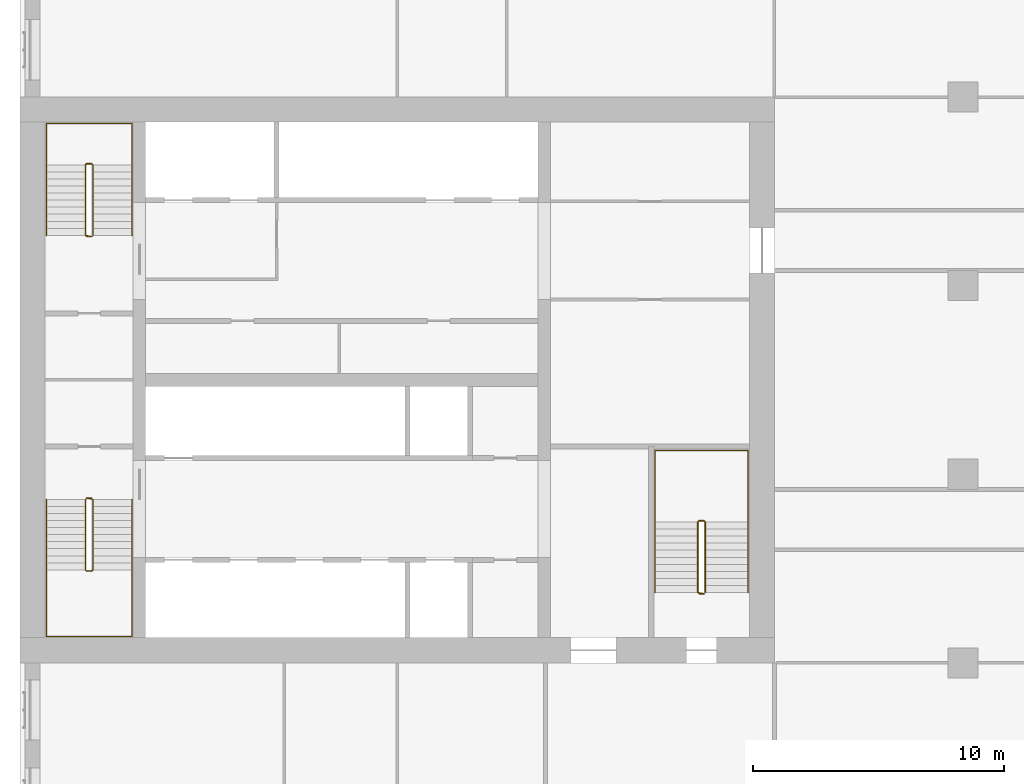
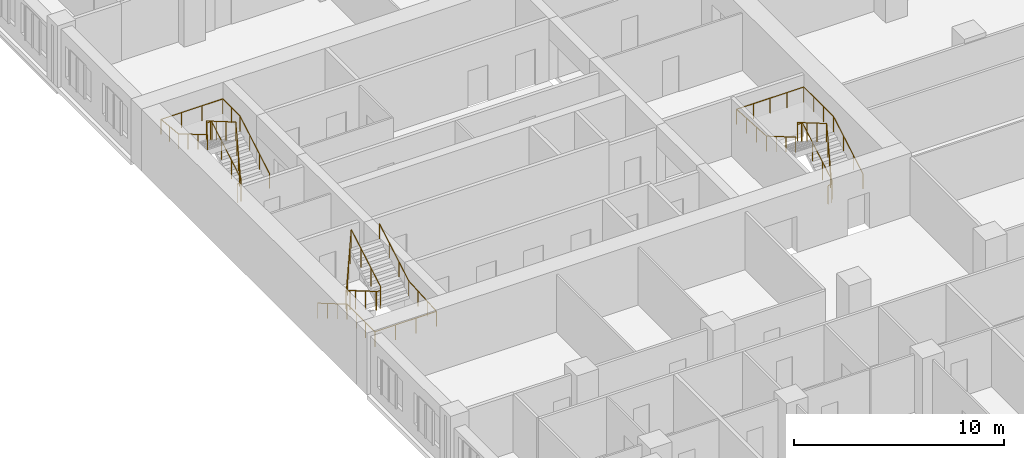
# One storey, part 14 of 14: 6 railings.
"""IFC4 building model written with IfcOpenShell, lengths in metres."""

import ifcopenshell
import ifcopenshell.guid

model = None  # the IFC model being written
_history = None  # IfcOwnerHistory: only IFC2X3 demands one
_inside = {}  # id of a spatial element -> (the spatial element, [elements in it])
_under = {}  # id of a project, library or spatial element -> (it, [spatial elements below it])
_declared = {}  # id of a project -> (the project, [libraries it declares])
_typed = {}  # id of a type object -> (the type object, [elements of that type])
_made_of = {}  # id of a material, layer set ... -> (it, [elements and type objects made of it])


def new_model(schema):
    """Start an empty IFC model of exactly this schema.

    Asked for "IFC4X3", IfcOpenShell would pick the latest addendum, in which some entities
    have other attributes; the version numbers below select the first issue.
    IFC2X3 requires an IfcOwnerHistory on every rooted entity: one is made here for all.
    """
    global model, _history
    if schema == "IFC4X3":
        model = ifcopenshell.file(schema_version=(4, 3, 0, 0))
    else:
        model = ifcopenshell.file(schema=schema)
    _inside.clear()
    _under.clear()
    _declared.clear()
    _typed.clear()
    _made_of.clear()
    _history = None
    if model.schema == "IFC2X3":
        org = make("IfcOrganization", Name="unknown")
        user = make(
            "IfcPersonAndOrganization",
            ThePerson=make("IfcPerson", FamilyName="unknown"),
            TheOrganization=org,
        )
        app = make(
            "IfcApplication",
            ApplicationDeveloper=org,
            Version="unknown",
            ApplicationFullName="unknown",
            ApplicationIdentifier="unknown",
        )
        _history = make(
            "IfcOwnerHistory",
            OwningUser=user,
            OwningApplication=app,
            ChangeAction="ADDED",
            CreationDate=0,
        )
    return model


def make(cls, **values):
    """One entity of the class cls with the attributes given. An attribute that is None is left unset."""
    return model.create_entity(
        cls, **{name: value for name, value in values.items() if value is not None}
    )


def rooted(cls, **values):
    """An entity with a GlobalId (a new one), such as an element, a storey or a relation."""
    return make(cls, GlobalId=ifcopenshell.guid.new(), OwnerHistory=_history, **values)


def si_unit(unit_type, name, prefix=None):
    """IfcSIUnit, for example si_unit("LENGTHUNIT", "METRE", prefix="MILLI")."""
    return make("IfcSIUnit", UnitType=unit_type, Prefix=prefix, Name=name)


def assignment(units):
    """IfcUnitAssignment: the units of a project."""
    return None if units is None else make("IfcUnitAssignment", Units=units)


def point(xyz):
    """IfcCartesianPoint."""
    return None if xyz is None else make("IfcCartesianPoint", Coordinates=xyz)


def direction(xyz):
    """IfcDirection."""
    return None if xyz is None else make("IfcDirection", DirectionRatios=xyz)


def frame(location, z_axis=None, x_axis=None):
    """IfcAxis2Placement3D, a coordinate frame: its origin and axes. An axis left out is left unset."""
    return make(
        "IfcAxis2Placement3D",
        Location=point(location),
        Axis=direction(z_axis),
        RefDirection=direction(x_axis),
    )


def frame_2d(location, x_axis=None):
    """IfcAxis2Placement2D, a coordinate frame in the plane: its origin and x axis."""
    return make(
        "IfcAxis2Placement2D", Location=point(location), RefDirection=direction(x_axis)
    )


def origin():
    """The frame at (0, 0, 0) with its axes left unset."""
    return frame((0.0, 0.0, 0.0))


def origin_2d():
    """The frame at (0, 0) in the plane with its x axis left unset."""
    return frame_2d((0.0, 0.0))


def place(relative_to, where):
    """IfcLocalPlacement: puts the frame where relative to a parent placement (None: the world)."""
    return make(
        "IfcLocalPlacement", PlacementRelTo=relative_to, RelativePlacement=where
    )


def context(
    kind, dimensions, precision=None, world=None, true_north=None, identifier=None
):
    """IfcGeometricRepresentationContext, for example the 3D "Model" context."""
    return make(
        "IfcGeometricRepresentationContext",
        ContextIdentifier=identifier,
        ContextType=kind,
        CoordinateSpaceDimension=dimensions,
        Precision=precision,
        WorldCoordinateSystem=world,
        TrueNorth=true_north,
    )


def subcontext(parent, identifier, kind, view, scale=None):
    """IfcGeometricRepresentationSubContext, for example "Body" below "Model"."""
    return make(
        "IfcGeometricRepresentationSubContext",
        ContextIdentifier=identifier,
        ContextType=kind,
        ParentContext=parent,
        TargetScale=scale,
        TargetView=view,
    )


def project(units=None, contexts=None):
    """IfcProject with its units and contexts."""
    return rooted(
        "IfcProject",
        Name="project",
        RepresentationContexts=contexts,
        UnitsInContext=assignment(units),
    )


def spatial(cls, under=None, at=None, **own):
    """A site, building, storey or space (cls), placed at a placement, below another one or the project."""
    s = rooted(cls, ObjectPlacement=at, **own)
    if under is not None:
        _under.setdefault(under.id(), (under, []))[1].append(s)
    return s


def profile(cls, at=None, kind="AREA", **sizes):
    """A parametric profile (cls). Its sizes go by their IFC names, for example OverallWidth=200.0."""
    return make(cls, ProfileType=kind, Position=at, **sizes)


def circle(**sizes):
    """IfcCircleProfileDef."""
    return profile("IfcCircleProfileDef", **sizes)


def extrude(swept, where, along, depth):
    """IfcExtrudedAreaSolid: the profile swept, set in the frame where, extruded along a direction by depth."""
    return make(
        "IfcExtrudedAreaSolid",
        SweptArea=swept,
        Position=where,
        ExtrudedDirection=direction(along),
        Depth=depth,
    )


def shape(context_of_items, identifier, shape_type, items):
    """IfcShapeRepresentation: the items that make up one representation, for example the "Body"."""
    return make(
        "IfcShapeRepresentation",
        ContextOfItems=context_of_items,
        RepresentationIdentifier=identifier,
        RepresentationType=shape_type,
        Items=items,
    )


def material(Name=None, Category=None):
    """IfcMaterial."""
    return make("IfcMaterial", Name=Name, Category=Category)


def made_of(thing, what):
    """Note that an element or type object is made of a material, layer set ...; save() writes the relation."""
    if what is not None:
        _made_of.setdefault(what.id(), (what, []))[1].append(thing)
    return thing


def type_object(cls, material=None, **own):
    """A type object (cls), such as IfcWallType, which elements share."""
    return made_of(rooted(cls, **own), material)


def element(
    cls,
    number,
    at=None,
    inside=None,
    cuts=None,
    type_object=None,
    material=None,
    context=None,
    identifier="Body",
    shape_type=None,
    held_by="IfcProductDefinitionShape",
    body=None,
    shapes=None,
    **own,
):
    """One element of the class cls, such as IfcWall. Its Tag is "e" and its number.

    at: its placement. inside: the storey or other place that contains it. cuts: it is an
    opening in that element (IfcRelVoidsElement). A single representation is given by context,
    identifier, shape_type and body (its items); several are given by shapes. held_by: the class
    of the entity that holds the representations. save() writes the other relations.
    """
    e = rooted(cls, Tag="e%d" % number, ObjectPlacement=at, **own)
    if body is not None:
        shapes = [shape(context, identifier, shape_type, body)]
    if shapes is not None:
        e.Representation = make(held_by, Representations=shapes)
    if inside is not None:
        _inside.setdefault(inside.id(), (inside, []))[1].append(e)
    if cuts is not None:
        rooted(
            "IfcRelVoidsElement", RelatingBuildingElement=cuts, RelatedOpeningElement=e
        )
    if type_object is not None:
        _typed.setdefault(type_object.id(), (type_object, []))[1].append(e)
    return made_of(e, material)


def aggregate(whole, parts):
    """IfcRelAggregates: a whole, such as a stair, and the parts it consists of."""
    return rooted("IfcRelAggregates", RelatingObject=whole, RelatedObjects=parts)


def save(model, path):
    """Write the relations noted so far, then the file.

    IfcRelAggregates (storeys below a building ...), IfcRelContainedInSpatialStructure (elements
    in a storey), IfcRelDefinesByType, IfcRelAssociatesMaterial and IfcRelDeclares: one each for
    every whole, place, type object, material and project.
    """
    for whole, parts in _under.values():
        aggregate(whole, parts)
    for where, things in _inside.values():
        rooted(
            "IfcRelContainedInSpatialStructure",
            RelatedElements=things,
            RelatingStructure=where,
        )
    for kind, things in _typed.values():
        rooted("IfcRelDefinesByType", RelatedObjects=things, RelatingType=kind)
    for what, things in _made_of.values():
        rooted("IfcRelAssociatesMaterial", RelatedObjects=things, RelatingMaterial=what)
    for by, libraries in _declared.values():
        rooted("IfcRelDeclares", RelatingContext=by, RelatedDefinitions=libraries)
    model.write(path)


model = new_model("IFC4")

# Units and contexts
model_context = context("Model", 3, precision=1e-05, world=origin(), true_north=direction((0.0, 1.0)))
body_context = subcontext(model_context, "Body", "Model", "MODEL_VIEW")
ifc_project = project(units=[si_unit("LENGTHUNIT", "METRE"), si_unit("AREAUNIT", "SQUARE_METRE"), si_unit("VOLUMEUNIT", "CUBIC_METRE"), si_unit("PLANEANGLEUNIT", "RADIAN"), si_unit("MASSUNIT", "GRAM", prefix="KILO")], contexts=[model_context])

# Site, building, storey
site_placement = place(None, origin())
site = spatial("IfcSite", under=ifc_project, at=site_placement, CompositionType="ELEMENT")
building_placement = place(site_placement, origin())
building = spatial("IfcBuilding", under=site, at=building_placement, Name="Tamorin Gate", CompositionType="ELEMENT")
storey_placement = place(building_placement, frame((0.0, 0.0, 41.199951171875)))
storey = spatial("IfcBuildingStorey", under=building, at=storey_placement, Name="L08", CompositionType="ELEMENT", Elevation=41.199951171875)

# Railings
ifc_material_1 = material(Name="Painted steel balustrade", Category="steel")
railing_type_1 = type_object("IfcRailingType", Name="Stair guard 1100", PredefinedType="GUARDRAIL", material=ifc_material_1)
railing_1_placement = place(storey_placement, frame((32.60009765625, 66.5, 0.16357421875)))
element("IfcRailing", 1, at=railing_1_placement, inside=storey, type_object=railing_type_1, Name="L08 ST1 stair guard 1", PredefinedType="GUARDRAIL", context=body_context, shape_type="SweptSolid", body=[
    extrude(circle(Radius=0.02392578125, at=origin_2d()), frame((0.0, 0.0, 1.076171875), z_axis=(0.0, -0.863360870873, 0.504586966384), x_axis=(1.0, 0.0, 0.0)), (0.0, 0.0, 1.0), 3.2431640625),
    extrude(circle(Radius=0.02392578125, at=origin_2d()), frame((0.0, -2.800048828125, 2.71240234375), z_axis=(0.705375805398, -0.708833529934, 0.0), x_axis=(0.708833529934, 0.705375805398, 0.0)), (0.0, 0.0, 1.0), 0.070556640625),
    extrude(circle(Radius=0.02392578125, at=origin_2d()), frame((0.0498046875, -2.85009765625, 2.71240234375), z_axis=(1.0, 0.0, 0.0), x_axis=(0.0, 1.0, 0.0)), (0.0, 0.0, 1.0), 0.2001953125),
    extrude(circle(Radius=0.02392578125, at=origin_2d()), frame((0.25, -2.85009765625, 2.71240234375), z_axis=(0.279546231943, 0.280916556609, 0.91811752648), x_axis=(-0.708833529934, 0.705375805398, 0.0)), (0.0, 0.0, 1.0), 0.17822265625),
    extrude(circle(Radius=0.02392578125, at=origin_2d()), frame((0.2998046875, -2.800048828125, 2.8759765625), z_axis=(0.0, 0.863360870873, 0.504586966384), x_axis=(-1.0, 0.0, 0.0)), (0.0, 0.0, 1.0), 3.2431640625),
    extrude(circle(Radius=0.02392578125, at=origin_2d()), frame((0.2998046875, 0.0, 4.5126953125), z_axis=(-0.069269067181, 0.013867342551, -0.997501625634), x_axis=(-0.196300278283, -0.98054382908, 0.0)), (0.0, 0.0, 1.0), 3.609130859375),
    extrude(circle(Radius=0.02392578125, at=origin_2d()), frame((0.0498046875, 0.050048828125, 0.91259765625), z_axis=(1.0, 0.0, 0.0), x_axis=(0.0, 1.0, 0.0)), (0.0, 0.0, 1.0), 0.2001953125),
    extrude(circle(Radius=0.02099609375, at=origin_2d()), origin(), (0.0, 0.0, 1.0), 1.052001953125),
    extrude(circle(Radius=0.02099609375, at=origin_2d()), frame((0.0, -0.933349609375, 0.54541015625)), (0.0, 0.0, 1.0), 1.052001953125),
    extrude(circle(Radius=0.02099609375, at=origin_2d()), frame((0.0, -1.86669921875, 1.091064453125)), (0.0, 0.0, 1.0), 1.052001953125),
    extrude(circle(Radius=0.02099609375, at=origin_2d()), frame((0.0, -2.800048828125, 1.636474609375)), (0.0, 0.0, 1.0), 1.052001953125),
    extrude(circle(Radius=0.02099609375, at=origin_2d()), frame((0.0498046875, -2.85009765625, 1.636474609375)), (0.0, 0.0, 1.0), 1.052001953125),
    extrude(circle(Radius=0.02099609375, at=origin_2d()), frame((0.25, -2.85009765625, 1.636474609375)), (0.0, 0.0, 1.0), 1.052001953125),
    extrude(circle(Radius=0.02099609375, at=origin_2d()), frame((0.2998046875, -2.800048828125, 1.800048828125)), (0.0, 0.0, 1.0), 1.052001953125),
    extrude(circle(Radius=0.02099609375, at=origin_2d()), frame((0.2998046875, -1.86669921875, 2.345458984375)), (0.0, 0.0, 1.0), 1.052001953125),
    extrude(circle(Radius=0.02099609375, at=origin_2d()), frame((0.2998046875, -0.933349609375, 2.89111328125)), (0.0, 0.0, 1.0), 1.052001953125),
    extrude(circle(Radius=0.02099609375, at=origin_2d()), frame((0.2998046875, 0.0, 3.4365234375)), (0.0, 0.0, 1.0), 1.052001953125),
    extrude(circle(Radius=0.02099609375, at=origin_2d()), frame((0.2373046875, 0.012451171875, 2.53662109375)), (0.0, 0.0, 1.0), 1.052001953125),
    extrude(circle(Radius=0.02099609375, at=origin_2d()), frame((0.1748046875, 0.02490234375, 1.636474609375)), (0.0, 0.0, 1.0), 1.052001953125),
    extrude(circle(Radius=0.02099609375, at=origin_2d()), frame((0.1123046875, 0.03759765625, 0.736328125)), (0.0, 0.0, 1.0), 1.052001953125),
    extrude(circle(Radius=0.02099609375, at=origin_2d()), frame((0.0498046875, 0.050048828125, -0.16357421875)), (0.0, 0.0, 1.0), 1.052001953125),
    extrude(circle(Radius=0.02099609375, at=origin_2d()), frame((0.25, 0.050048828125, -0.16357421875)), (0.0, 0.0, 1.0), 1.052001953125),
])
railing_2_placement = place(storey_placement, frame((32.89990234375, 77.0, 0.16357421875)))
element("IfcRailing", 2, at=railing_2_placement, inside=storey, type_object=railing_type_1, Name="L08 ST2 stair guard 1", PredefinedType="GUARDRAIL", context=body_context, shape_type="SweptSolid", body=[
    extrude(circle(Radius=0.02392578125, at=origin_2d()), frame((0.0, 0.0, 1.076171875), z_axis=(0.0, 0.863360870873, 0.504586966384), x_axis=(-1.0, 0.0, 0.0)), (0.0, 0.0, 1.0), 3.2431640625),
    extrude(circle(Radius=0.02392578125, at=origin_2d()), frame((0.0, 2.800048828125, 2.71240234375), z_axis=(-0.705375805398, 0.708833529934, 0.0), x_axis=(-0.708833529934, -0.705375805398, 0.0)), (0.0, 0.0, 1.0), 0.070556640625),
    extrude(circle(Radius=0.02392578125, at=origin_2d()), frame((-0.0498046875, 2.85009765625, 2.71240234375), z_axis=(-1.0, 0.0, 0.0), x_axis=(0.0, -1.0, 0.0)), (0.0, 0.0, 1.0), 0.2001953125),
    extrude(circle(Radius=0.02392578125, at=origin_2d()), frame((-0.25, 2.85009765625, 2.71240234375), z_axis=(-0.279546231943, -0.280916556609, 0.91811752648), x_axis=(0.708833529934, -0.705375805398, 0.0)), (0.0, 0.0, 1.0), 0.17822265625),
    extrude(circle(Radius=0.02392578125, at=origin_2d()), frame((-0.2998046875, 2.800048828125, 2.8759765625), z_axis=(0.0, -0.863360870873, 0.504586966384), x_axis=(1.0, 0.0, 0.0)), (0.0, 0.0, 1.0), 3.2431640625),
    extrude(circle(Radius=0.02392578125, at=origin_2d()), frame((-0.2998046875, 0.0, 4.5126953125), z_axis=(0.069269067181, -0.013867342551, -0.997501625634), x_axis=(0.196300278283, 0.98054382908, 0.0)), (0.0, 0.0, 1.0), 3.609130859375),
    extrude(circle(Radius=0.02392578125, at=origin_2d()), frame((-0.0498046875, -0.050048828125, 0.91259765625), z_axis=(-1.0, 0.0, 0.0), x_axis=(0.0, -1.0, 0.0)), (0.0, 0.0, 1.0), 0.2001953125),
    extrude(circle(Radius=0.02099609375, at=origin_2d()), origin(), (0.0, 0.0, 1.0), 1.052001953125),
    extrude(circle(Radius=0.02099609375, at=origin_2d()), frame((0.0, 0.933349609375, 0.54541015625)), (0.0, 0.0, 1.0), 1.052001953125),
    extrude(circle(Radius=0.02099609375, at=origin_2d()), frame((0.0, 1.86669921875, 1.091064453125)), (0.0, 0.0, 1.0), 1.052001953125),
    extrude(circle(Radius=0.02099609375, at=origin_2d()), frame((0.0, 2.800048828125, 1.636474609375)), (0.0, 0.0, 1.0), 1.052001953125),
    extrude(circle(Radius=0.02099609375, at=origin_2d()), frame((-0.0498046875, 2.85009765625, 1.636474609375)), (0.0, 0.0, 1.0), 1.052001953125),
    extrude(circle(Radius=0.02099609375, at=origin_2d()), frame((-0.25, 2.85009765625, 1.636474609375)), (0.0, 0.0, 1.0), 1.052001953125),
    extrude(circle(Radius=0.02099609375, at=origin_2d()), frame((-0.2998046875, 2.800048828125, 1.800048828125)), (0.0, 0.0, 1.0), 1.052001953125),
    extrude(circle(Radius=0.02099609375, at=origin_2d()), frame((-0.2998046875, 1.86669921875, 2.345458984375)), (0.0, 0.0, 1.0), 1.052001953125),
    extrude(circle(Radius=0.02099609375, at=origin_2d()), frame((-0.2998046875, 0.933349609375, 2.89111328125)), (0.0, 0.0, 1.0), 1.052001953125),
    extrude(circle(Radius=0.02099609375, at=origin_2d()), frame((-0.2998046875, 0.0, 3.4365234375)), (0.0, 0.0, 1.0), 1.052001953125),
    extrude(circle(Radius=0.02099609375, at=origin_2d()), frame((-0.2373046875, -0.012451171875, 2.53662109375)), (0.0, 0.0, 1.0), 1.052001953125),
    extrude(circle(Radius=0.02099609375, at=origin_2d()), frame((-0.1748046875, -0.02490234375, 1.636474609375)), (0.0, 0.0, 1.0), 1.052001953125),
    extrude(circle(Radius=0.02099609375, at=origin_2d()), frame((-0.1123046875, -0.03759765625, 0.736328125)), (0.0, 0.0, 1.0), 1.052001953125),
    extrude(circle(Radius=0.02099609375, at=origin_2d()), frame((-0.0498046875, -0.050048828125, -0.16357421875)), (0.0, 0.0, 1.0), 1.052001953125),
    extrude(circle(Radius=0.02099609375, at=origin_2d()), frame((-0.25, -0.050048828125, -0.16357421875)), (0.0, 0.0, 1.0), 1.052001953125),
])
railing_3_placement = place(storey_placement, frame((57.25, 62.800048828125, 0.16357421875)))
element("IfcRailing", 3, at=railing_3_placement, inside=storey, type_object=railing_type_1, Name="L08 ST3 stair guard 1", PredefinedType="GUARDRAIL", context=body_context, shape_type="SweptSolid", body=[
    extrude(circle(Radius=0.02392578125, at=origin_2d()), frame((0.0, 0.0, 1.076171875), z_axis=(0.0, 0.863360870873, 0.504586966384), x_axis=(-1.0, 0.0, 0.0)), (0.0, 0.0, 1.0), 3.2431640625),
    extrude(circle(Radius=0.02392578125, at=origin_2d()), frame((0.0, 2.800048828125, 2.71240234375), z_axis=(-0.708833529934, 0.705375805398, 0.0), x_axis=(-0.705375805398, -0.708833529934, 0.0)), (0.0, 0.0, 1.0), 0.070556640625),
    extrude(circle(Radius=0.02392578125, at=origin_2d()), frame((-0.050048828125, 2.849853515625, 2.71240234375), z_axis=(-1.0, 0.0, 0.0), x_axis=(0.0, -1.0, 0.0)), (0.0, 0.0, 1.0), 0.199951171875),
    extrude(circle(Radius=0.02392578125, at=origin_2d()), frame((-0.25, 2.849853515625, 2.71240234375), z_axis=(-0.280916556609, -0.279546231943, 0.91811752648), x_axis=(0.705375805398, -0.708833529934, 0.0)), (0.0, 0.0, 1.0), 0.17822265625),
    extrude(circle(Radius=0.02392578125, at=origin_2d()), frame((-0.300048828125, 2.800048828125, 2.8759765625), z_axis=(0.0, -0.863360870873, 0.504586966384), x_axis=(1.0, 0.0, 0.0)), (0.0, 0.0, 1.0), 3.2431640625),
    extrude(circle(Radius=0.02392578125, at=origin_2d()), frame((-0.300048828125, 0.0, 4.5126953125), z_axis=(0.069269067181, -0.013867342551, -0.997501625634), x_axis=(0.196300278283, 0.98054382908, 0.0)), (0.0, 0.0, 1.0), 3.609130859375),
    extrude(circle(Radius=0.02392578125, at=origin_2d()), frame((-0.050048828125, -0.050048828125, 0.91259765625), z_axis=(-1.0, 0.0, 0.0), x_axis=(0.0, -1.0, 0.0)), (0.0, 0.0, 1.0), 0.199951171875),
    extrude(circle(Radius=0.02099609375, at=origin_2d()), origin(), (0.0, 0.0, 1.0), 1.052001953125),
    extrude(circle(Radius=0.02099609375, at=origin_2d()), frame((0.0, 0.933349609375, 0.54541015625)), (0.0, 0.0, 1.0), 1.052001953125),
    extrude(circle(Radius=0.02099609375, at=origin_2d()), frame((0.0, 1.86669921875, 1.091064453125)), (0.0, 0.0, 1.0), 1.052001953125),
    extrude(circle(Radius=0.02099609375, at=origin_2d()), frame((0.0, 2.800048828125, 1.636474609375)), (0.0, 0.0, 1.0), 1.052001953125),
    extrude(circle(Radius=0.02099609375, at=origin_2d()), frame((-0.050048828125, 2.849853515625, 1.636474609375)), (0.0, 0.0, 1.0), 1.052001953125),
    extrude(circle(Radius=0.02099609375, at=origin_2d()), frame((-0.25, 2.849853515625, 1.636474609375)), (0.0, 0.0, 1.0), 1.052001953125),
    extrude(circle(Radius=0.02099609375, at=origin_2d()), frame((-0.300048828125, 2.800048828125, 1.800048828125)), (0.0, 0.0, 1.0), 1.052001953125),
    extrude(circle(Radius=0.02099609375, at=origin_2d()), frame((-0.300048828125, 1.86669921875, 2.345458984375)), (0.0, 0.0, 1.0), 1.052001953125),
    extrude(circle(Radius=0.02099609375, at=origin_2d()), frame((-0.300048828125, 0.933349609375, 2.89111328125)), (0.0, 0.0, 1.0), 1.052001953125),
    extrude(circle(Radius=0.02099609375, at=origin_2d()), frame((-0.300048828125, 0.0, 3.4365234375)), (0.0, 0.0, 1.0), 1.052001953125),
    extrude(circle(Radius=0.02099609375, at=origin_2d()), frame((-0.237548828125, -0.012451171875, 2.53662109375)), (0.0, 0.0, 1.0), 1.052001953125),
    extrude(circle(Radius=0.02099609375, at=origin_2d()), frame((-0.175048828125, -0.02490234375, 1.636474609375)), (0.0, 0.0, 1.0), 1.052001953125),
    extrude(circle(Radius=0.02099609375, at=origin_2d()), frame((-0.112548828125, -0.03759765625, 0.736328125)), (0.0, 0.0, 1.0), 1.052001953125),
    extrude(circle(Radius=0.02099609375, at=origin_2d()), frame((-0.050048828125, -0.050048828125, -0.16357421875)), (0.0, 0.0, 1.0), 1.052001953125),
    extrude(circle(Radius=0.02099609375, at=origin_2d()), frame((-0.25, -0.050048828125, -0.16357421875)), (0.0, 0.0, 1.0), 1.052001953125),
])
ifc_material_2 = material(Name="Painted steel handrail", Category="steel")
railing_type_2 = type_object("IfcRailingType", Name="Stair handrail 900", PredefinedType="HANDRAIL", material=ifc_material_2)
railing_4_placement = place(storey_placement, frame((31.050048828125, 66.5, 0.16357421875)))
element("IfcRailing", 4, at=railing_4_placement, inside=storey, type_object=railing_type_2, Name="L08 ST1 stair handrail 1", PredefinedType="HANDRAIL", context=body_context, shape_type="SweptSolid", body=[
    extrude(circle(Radius=0.02392578125, at=origin_2d()), frame((0.0, 0.0, 0.8759765625), z_axis=(0.0, -0.863360870873, 0.504586966384), x_axis=(1.0, 0.0, 0.0)), (0.0, 0.0, 1.0), 3.2431640625),
    extrude(circle(Radius=0.02392578125, at=origin_2d()), frame((0.0, -2.800048828125, 2.51220703125), z_axis=(0.0, -1.0, 0.0), x_axis=(1.0, 0.0, 0.0)), (0.0, 0.0, 1.0), 2.64990234375),
    extrude(circle(Radius=0.02392578125, at=origin_2d()), frame((0.0, -5.449951171875, 2.51220703125), z_axis=(1.0, 0.0, 0.0), x_axis=(0.0, 1.0, 0.0)), (0.0, 0.0, 1.0), 3.39990234375),
    extrude(circle(Radius=0.02392578125, at=origin_2d()), frame((3.39990234375, -5.449951171875, 2.51220703125), z_axis=(0.0, 0.998100230056, 0.061611125312), x_axis=(-1.0, 0.0, 0.0)), (0.0, 0.0, 1.0), 2.655029296875),
    extrude(circle(Radius=0.02392578125, at=origin_2d()), frame((3.39990234375, -2.800048828125, 2.67578125), z_axis=(0.0, 0.863360870873, 0.504586966384), x_axis=(-1.0, 0.0, 0.0)), (0.0, 0.0, 1.0), 3.2431640625),
    extrude(circle(Radius=0.02099609375, at=origin_2d()), origin(), (0.0, 0.0, 1.0), 0.851806640625),
    extrude(circle(Radius=0.02099609375, at=origin_2d()), frame((0.0, -0.933349609375, 0.54541015625)), (0.0, 0.0, 1.0), 0.851806640625),
    extrude(circle(Radius=0.02099609375, at=origin_2d()), frame((0.0, -1.86669921875, 1.091064453125)), (0.0, 0.0, 1.0), 0.851806640625),
    extrude(circle(Radius=0.02099609375, at=origin_2d()), frame((0.0, -2.800048828125, 1.636474609375)), (0.0, 0.0, 1.0), 0.851806640625),
    extrude(circle(Radius=0.02099609375, at=origin_2d()), frame((0.0, -3.683349609375, 1.636474609375)), (0.0, 0.0, 1.0), 0.851806640625),
    extrude(circle(Radius=0.02099609375, at=origin_2d()), frame((0.0, -4.566650390625, 1.636474609375)), (0.0, 0.0, 1.0), 0.851806640625),
    extrude(circle(Radius=0.02099609375, at=origin_2d()), frame((0.0, -5.449951171875, 1.636474609375)), (0.0, 0.0, 1.0), 0.851806640625),
    extrude(circle(Radius=0.02099609375, at=origin_2d()), frame((1.13330078125, -5.449951171875, 1.636474609375)), (0.0, 0.0, 1.0), 0.851806640625),
    extrude(circle(Radius=0.02099609375, at=origin_2d()), frame((2.2666015625, -5.449951171875, 1.636474609375)), (0.0, 0.0, 1.0), 0.851806640625),
    extrude(circle(Radius=0.02099609375, at=origin_2d()), frame((3.39990234375, -5.449951171875, 1.636474609375)), (0.0, 0.0, 1.0), 0.851806640625),
    extrude(circle(Radius=0.02099609375, at=origin_2d()), frame((3.39990234375, -4.566650390625, 1.69091796875)), (0.0, 0.0, 1.0), 0.851806640625),
    extrude(circle(Radius=0.02099609375, at=origin_2d()), frame((3.39990234375, -3.683349609375, 1.74560546875)), (0.0, 0.0, 1.0), 0.851806640625),
    extrude(circle(Radius=0.02099609375, at=origin_2d()), frame((3.39990234375, -2.800048828125, 1.800048828125)), (0.0, 0.0, 1.0), 0.851806640625),
    extrude(circle(Radius=0.02099609375, at=origin_2d()), frame((3.39990234375, -1.86669921875, 2.345458984375)), (0.0, 0.0, 1.0), 0.851806640625),
    extrude(circle(Radius=0.02099609375, at=origin_2d()), frame((3.39990234375, -0.933349609375, 2.89111328125)), (0.0, 0.0, 1.0), 0.851806640625),
    extrude(circle(Radius=0.02099609375, at=origin_2d()), frame((3.39990234375, 0.0, 3.4365234375)), (0.0, 0.0, 1.0), 0.851806640625),
])
railing_5_placement = place(storey_placement, frame((34.449951171875, 77.0, 0.16357421875)))
element("IfcRailing", 5, at=railing_5_placement, inside=storey, type_object=railing_type_2, Name="L08 ST2 stair handrail 1", PredefinedType="HANDRAIL", context=body_context, shape_type="SweptSolid", body=[
    extrude(circle(Radius=0.02392578125, at=origin_2d()), frame((0.0, 0.0, 0.8759765625), z_axis=(0.0, 0.863360870873, 0.504586966384), x_axis=(-1.0, 0.0, 0.0)), (0.0, 0.0, 1.0), 3.2431640625),
    extrude(circle(Radius=0.02392578125, at=origin_2d()), frame((0.0, 2.800048828125, 2.51220703125), z_axis=(0.0, 1.0, 0.0), x_axis=(-1.0, 0.0, 0.0)), (0.0, 0.0, 1.0), 1.64990234375),
    extrude(circle(Radius=0.02392578125, at=origin_2d()), frame((0.0, 4.449951171875, 2.51220703125), z_axis=(-1.0, 0.0, 0.0), x_axis=(0.0, -1.0, 0.0)), (0.0, 0.0, 1.0), 3.39990234375),
    extrude(circle(Radius=0.02392578125, at=origin_2d()), frame((-3.39990234375, 4.449951171875, 2.51220703125), z_axis=(0.0, -0.995121390814, 0.098658084026), x_axis=(1.0, 0.0, 0.0)), (0.0, 0.0, 1.0), 1.657958984375),
    extrude(circle(Radius=0.02392578125, at=origin_2d()), frame((-3.39990234375, 2.800048828125, 2.67578125), z_axis=(0.0, -0.863360870873, 0.504586966384), x_axis=(1.0, 0.0, 0.0)), (0.0, 0.0, 1.0), 3.2431640625),
    extrude(circle(Radius=0.02099609375, at=origin_2d()), origin(), (0.0, 0.0, 1.0), 0.851806640625),
    extrude(circle(Radius=0.02099609375, at=origin_2d()), frame((0.0, 0.933349609375, 0.54541015625)), (0.0, 0.0, 1.0), 0.851806640625),
    extrude(circle(Radius=0.02099609375, at=origin_2d()), frame((0.0, 1.86669921875, 1.091064453125)), (0.0, 0.0, 1.0), 0.851806640625),
    extrude(circle(Radius=0.02099609375, at=origin_2d()), frame((0.0, 2.800048828125, 1.636474609375)), (0.0, 0.0, 1.0), 0.851806640625),
    extrude(circle(Radius=0.02099609375, at=origin_2d()), frame((0.0, 3.625, 1.636474609375)), (0.0, 0.0, 1.0), 0.851806640625),
    extrude(circle(Radius=0.02099609375, at=origin_2d()), frame((0.0, 4.449951171875, 1.636474609375)), (0.0, 0.0, 1.0), 0.851806640625),
    extrude(circle(Radius=0.02099609375, at=origin_2d()), frame((-1.13330078125, 4.449951171875, 1.636474609375)), (0.0, 0.0, 1.0), 0.851806640625),
    extrude(circle(Radius=0.02099609375, at=origin_2d()), frame((-2.2666015625, 4.449951171875, 1.636474609375)), (0.0, 0.0, 1.0), 0.851806640625),
    extrude(circle(Radius=0.02099609375, at=origin_2d()), frame((-3.39990234375, 4.449951171875, 1.636474609375)), (0.0, 0.0, 1.0), 0.851806640625),
    extrude(circle(Radius=0.02099609375, at=origin_2d()), frame((-3.39990234375, 3.625, 1.71826171875)), (0.0, 0.0, 1.0), 0.851806640625),
    extrude(circle(Radius=0.02099609375, at=origin_2d()), frame((-3.39990234375, 2.800048828125, 1.800048828125)), (0.0, 0.0, 1.0), 0.851806640625),
    extrude(circle(Radius=0.02099609375, at=origin_2d()), frame((-3.39990234375, 1.86669921875, 2.345458984375)), (0.0, 0.0, 1.0), 0.851806640625),
    extrude(circle(Radius=0.02099609375, at=origin_2d()), frame((-3.39990234375, 0.933349609375, 2.89111328125)), (0.0, 0.0, 1.0), 0.851806640625),
    extrude(circle(Radius=0.02099609375, at=origin_2d()), frame((-3.39990234375, 0.0, 3.4365234375)), (0.0, 0.0, 1.0), 0.851806640625),
])
railing_6_placement = place(storey_placement, frame((58.949951171875, 62.800048828125, 0.16357421875)))
element("IfcRailing", 6, at=railing_6_placement, inside=storey, type_object=railing_type_2, Name="L08 ST3 stair handrail 1", PredefinedType="HANDRAIL", context=body_context, shape_type="SweptSolid", body=[
    extrude(circle(Radius=0.02392578125, at=origin_2d()), frame((0.0, 0.0, 0.8759765625), z_axis=(0.0, 0.863360870873, 0.504586966384), x_axis=(-1.0, 0.0, 0.0)), (0.0, 0.0, 1.0), 3.2431640625),
    extrude(circle(Radius=0.02392578125, at=origin_2d()), frame((0.0, 2.800048828125, 2.51220703125), z_axis=(0.0, 1.0, 0.0), x_axis=(-1.0, 0.0, 0.0)), (0.0, 0.0, 1.0), 2.849853515625),
    extrude(circle(Radius=0.02392578125, at=origin_2d()), frame((0.0, 5.64990234375, 2.51220703125), z_axis=(-1.0, 0.0, 0.0), x_axis=(0.0, -1.0, 0.0)), (0.0, 0.0, 1.0), 3.699951171875),
    extrude(circle(Radius=0.02392578125, at=origin_2d()), frame((-3.699951171875, 5.64990234375, 2.51220703125), z_axis=(0.0, -0.998356827416, 0.057303098978), x_axis=(1.0, 0.0, 0.0)), (0.0, 0.0, 1.0), 2.8544921875),
    extrude(circle(Radius=0.02392578125, at=origin_2d()), frame((-3.699951171875, 2.800048828125, 2.67578125), z_axis=(0.0, -0.863360870873, 0.504586966384), x_axis=(1.0, 0.0, 0.0)), (0.0, 0.0, 1.0), 3.2431640625),
    extrude(circle(Radius=0.02099609375, at=origin_2d()), origin(), (0.0, 0.0, 1.0), 0.851806640625),
    extrude(circle(Radius=0.02099609375, at=origin_2d()), frame((0.0, 0.933349609375, 0.54541015625)), (0.0, 0.0, 1.0), 0.851806640625),
    extrude(circle(Radius=0.02099609375, at=origin_2d()), frame((0.0, 1.86669921875, 1.091064453125)), (0.0, 0.0, 1.0), 0.851806640625),
    extrude(circle(Radius=0.02099609375, at=origin_2d()), frame((0.0, 2.800048828125, 1.636474609375)), (0.0, 0.0, 1.0), 0.851806640625),
    extrude(circle(Radius=0.02099609375, at=origin_2d()), frame((0.0, 3.75, 1.636474609375)), (0.0, 0.0, 1.0), 0.851806640625),
    extrude(circle(Radius=0.02099609375, at=origin_2d()), frame((0.0, 4.699951171875, 1.636474609375)), (0.0, 0.0, 1.0), 0.851806640625),
    extrude(circle(Radius=0.02099609375, at=origin_2d()), frame((0.0, 5.64990234375, 1.636474609375)), (0.0, 0.0, 1.0), 0.851806640625),
    extrude(circle(Radius=0.02099609375, at=origin_2d()), frame((-0.925048828125, 5.64990234375, 1.636474609375)), (0.0, 0.0, 1.0), 0.851806640625),
    extrude(circle(Radius=0.02099609375, at=origin_2d()), frame((-1.85009765625, 5.64990234375, 1.636474609375)), (0.0, 0.0, 1.0), 0.851806640625),
    extrude(circle(Radius=0.02099609375, at=origin_2d()), frame((-2.77490234375, 5.64990234375, 1.636474609375)), (0.0, 0.0, 1.0), 0.851806640625),
    extrude(circle(Radius=0.02099609375, at=origin_2d()), frame((-3.699951171875, 5.64990234375, 1.636474609375)), (0.0, 0.0, 1.0), 0.851806640625),
    extrude(circle(Radius=0.02099609375, at=origin_2d()), frame((-3.699951171875, 4.699951171875, 1.69091796875)), (0.0, 0.0, 1.0), 0.851806640625),
    extrude(circle(Radius=0.02099609375, at=origin_2d()), frame((-3.699951171875, 3.75, 1.74560546875)), (0.0, 0.0, 1.0), 0.851806640625),
    extrude(circle(Radius=0.02099609375, at=origin_2d()), frame((-3.699951171875, 2.800048828125, 1.800048828125)), (0.0, 0.0, 1.0), 0.851806640625),
    extrude(circle(Radius=0.02099609375, at=origin_2d()), frame((-3.699951171875, 1.86669921875, 2.345458984375)), (0.0, 0.0, 1.0), 0.851806640625),
    extrude(circle(Radius=0.02099609375, at=origin_2d()), frame((-3.699951171875, 0.933349609375, 2.89111328125)), (0.0, 0.0, 1.0), 0.851806640625),
    extrude(circle(Radius=0.02099609375, at=origin_2d()), frame((-3.699951171875, 0.0, 3.4365234375)), (0.0, 0.0, 1.0), 0.851806640625),
])

save(model, "model.ifc")
